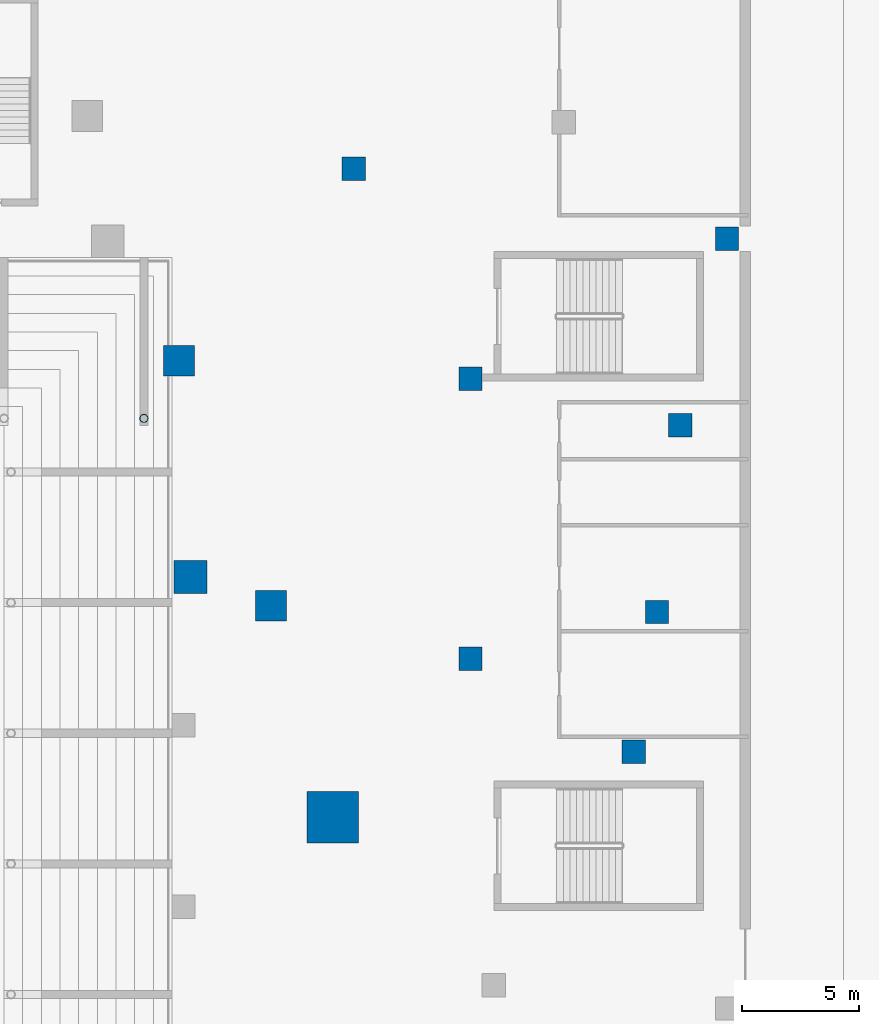
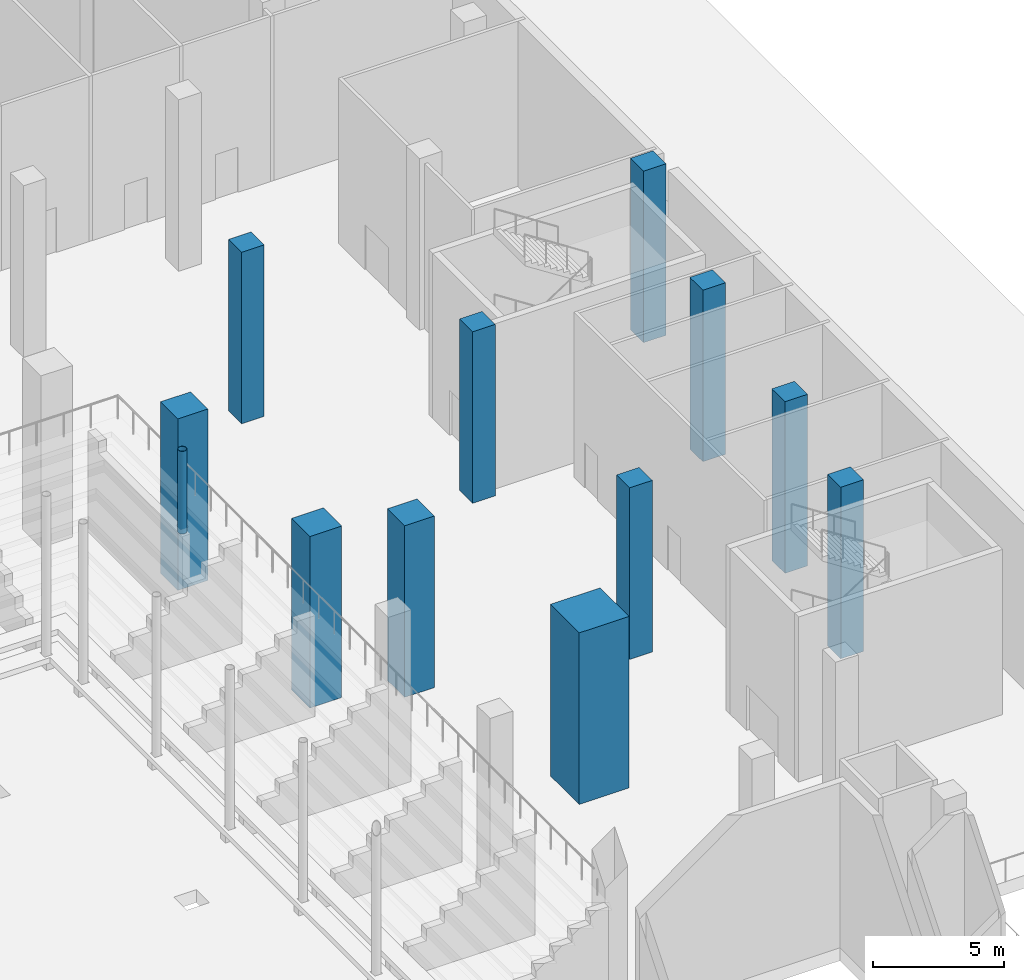
# One storey, part 11 of 41: 12 columns.
"""IFC4 building model written with IfcOpenShell, lengths in metres."""

from ifc_helpers import new_model, si_unit, direction, frame, origin, origin_2d, place, context, subcontext, project, spatial, rectangle, hollow_circle, extrude, material, material_profile, profile_set, type_object, element, save


model = new_model("IFC4")

# Units and contexts
model_context = context("Model", 3, precision=1e-05, world=origin(), true_north=direction((0.0, 1.0)))
body_context = subcontext(model_context, "Body", "Model", "MODEL_VIEW")
ifc_project = project(units=[si_unit("LENGTHUNIT", "METRE"), si_unit("AREAUNIT", "SQUARE_METRE"), si_unit("VOLUMEUNIT", "CUBIC_METRE"), si_unit("PLANEANGLEUNIT", "RADIAN"), si_unit("MASSUNIT", "GRAM", prefix="KILO")], contexts=[model_context])

# Site, building, storey
site_placement = place(None, origin())
site = spatial("IfcSite", under=ifc_project, at=site_placement, CompositionType="ELEMENT")
building_placement = place(site_placement, origin())
building = spatial("IfcBuilding", under=site, at=building_placement, Name="Wharfspan Tower", CompositionType="ELEMENT")
storey_placement = place(building_placement, origin())
storey = spatial("IfcBuildingStorey", under=building, at=storey_placement, Name="L00", CompositionType="ELEMENT", Elevation=0.0)

# Columns
ifc_material_1 = material(Name="Concrete C60/75", Category="concrete")
ifc_material_profile_1 = material_profile(ifc_material_1, rectangle(XDim=1.0, YDim=1.0, at=origin_2d()))
ifc_profile_set_1 = profile_set([ifc_material_profile_1], Name="Concrete C60/75")
column_type_1 = type_object("IfcColumnType", Name="Concrete column 1000 square", PredefinedType="COLUMN", material=ifc_profile_set_1)
for number, where, z_axis, x_axis, name in (
    (1, (107.0, 26.0, 0.0), (0.0, 0.0, 1.0), (1.0, 0.0, 0.0), "Column D.3"),
    (2, (104.0, 10.0, 0.0), (0.0, 0.0, 1.0), (1.0, 0.0, 0.0), "Column D.9"),
    (3, (96.0, 20.0, 0.0), (0.0, 0.0, 1.0), (1.0, 0.0, 0.0), "Column D.15"),
    (4, (91.0, 29.0, 0.0), (0.0, 0.0, 1.0), (1.0, 0.0, 0.0), "Column D.25"),
    (5, (103.0, 4.0, 0.0), (0.0, 0.0, 1.0), (1.0, 0.0, 0.0), "Column D.36"),
    (6, (96.0, 8.0, 0.0), (0.0, 0.0, 1.0), (1.0, 0.0, 0.0), "Column D.45"),
    (7, (105.0, 18.0, 0.0), (0.0, 0.0, 1.0), (1.0, 0.0, 0.0), "Column D.46"),
):
    element("IfcColumn", number, at=place(storey_placement, frame(where, z_axis=z_axis, x_axis=x_axis)), inside=storey, type_object=column_type_1, Name=name, PredefinedType="COLUMN", context=body_context, shape_type="SweptSolid", body=[
        extrude(rectangle(XDim=1.0, YDim=1.0, at=origin_2d()), origin(), (0.0, 0.0, 1.0), 8.0),
    ])
ifc_material_profile_2 = material_profile(ifc_material_1, rectangle(XDim=1.320068, YDim=1.320068, at=origin_2d()))
ifc_profile_set_2 = profile_set([ifc_material_profile_2], Name="Concrete C60/75")
column_type_2 = type_object("IfcColumnType", Name="Concrete column 1320 square", PredefinedType="COLUMN", material=ifc_profile_set_2)
for number, where, z_axis, x_axis, name in (
    (8, (87.44458, 10.268311, 0.0), (0.0, 0.0, 1.0), (1.0, 0.0, 0.0), "Column T.PE.1"),
    (9, (83.50708, 20.768311, 0.0), (0.0, 0.0, 1.0), (1.0, 0.0, 0.0), "Column T.PE.2"),
):
    element("IfcColumn", number, at=place(storey_placement, frame(where, z_axis=z_axis, x_axis=x_axis)), inside=storey, type_object=column_type_2, Name=name, PredefinedType="COLUMN", context=body_context, shape_type="SweptSolid", body=[
        extrude(rectangle(XDim=1.320068, YDim=1.320068, at=origin_2d()), origin(), (0.0, 0.0, 1.0), 8.0),
    ])
ifc_material_profile_3 = material_profile(ifc_material_1, rectangle(XDim=1.399902, YDim=1.399902, at=origin_2d()))
ifc_profile_set_3 = profile_set([ifc_material_profile_3], Name="Concrete C60/75")
column_type_3 = type_object("IfcColumnType", Name="Concrete column 1400 square", PredefinedType="COLUMN", material=ifc_profile_set_3)
column_1_placement = place(storey_placement, frame((84.0, 11.5, 0.0), z_axis=(0.0, 0.0, 1.0), x_axis=(1.0, 0.0, 0.0)))
element("IfcColumn", 10, at=column_1_placement, inside=storey, type_object=column_type_3, Name="Column T.I.1.7", PredefinedType="COLUMN", context=body_context, shape_type="SweptSolid", body=[
    extrude(rectangle(XDim=1.399902, YDim=1.399902, at=origin_2d()), origin(), (0.0, 0.0, 1.0), 8.0),
])
ifc_material_profile_4 = material_profile(ifc_material_1, rectangle(XDim=2.199951, YDim=2.199951, at=origin_2d()))
ifc_profile_set_4 = profile_set([ifc_material_profile_4], Name="Concrete C60/75")
column_type_4 = type_object("IfcColumnType", Name="Concrete column 2200 square", PredefinedType="COLUMN", material=ifc_profile_set_4)
column_2_placement = place(storey_placement, frame((90.096436, 1.199707, 0.0), z_axis=(0.0, 0.0, 1.0), x_axis=(1.0, 0.0, 0.0)))
element("IfcColumn", 11, at=column_2_placement, inside=storey, type_object=column_type_4, Name="Column T.MC4", PredefinedType="COLUMN", context=body_context, shape_type="SweptSolid", body=[
    extrude(rectangle(XDim=2.199951, YDim=2.199951, at=origin_2d()), origin(), (0.0, 0.0, 1.0), 8.0),
])
ifc_material_2 = material(Name="Steel S460NH", Category="steel")
ifc_material_profile_5 = material_profile(ifc_material_2, hollow_circle(Radius=0.177734, WallThickness=0.016113, at=origin_2d()))
ifc_profile_set_5 = profile_set([ifc_material_profile_5], Name="Steel S460NH")
column_type_5 = type_object("IfcColumnType", Name="Tier column CHS 356x16", PredefinedType="COLUMN", material=ifc_profile_set_5)
column_3_placement = place(storey_placement, frame((82.0, 18.300049, 4.149902), z_axis=(0.0, 0.0, 1.0), x_axis=(1.0, 0.0, 0.0)))
element("IfcColumn", 12, at=column_3_placement, inside=storey, type_object=column_type_5, Name="Upper tier column", PredefinedType="COLUMN", context=body_context, shape_type="SweptSolid", body=[
    extrude(hollow_circle(Radius=0.177734, WallThickness=0.016113, at=origin_2d()), origin(), (0.0, 0.0, 1.0), 3.850098),
])

save(model, "model.ifc")
